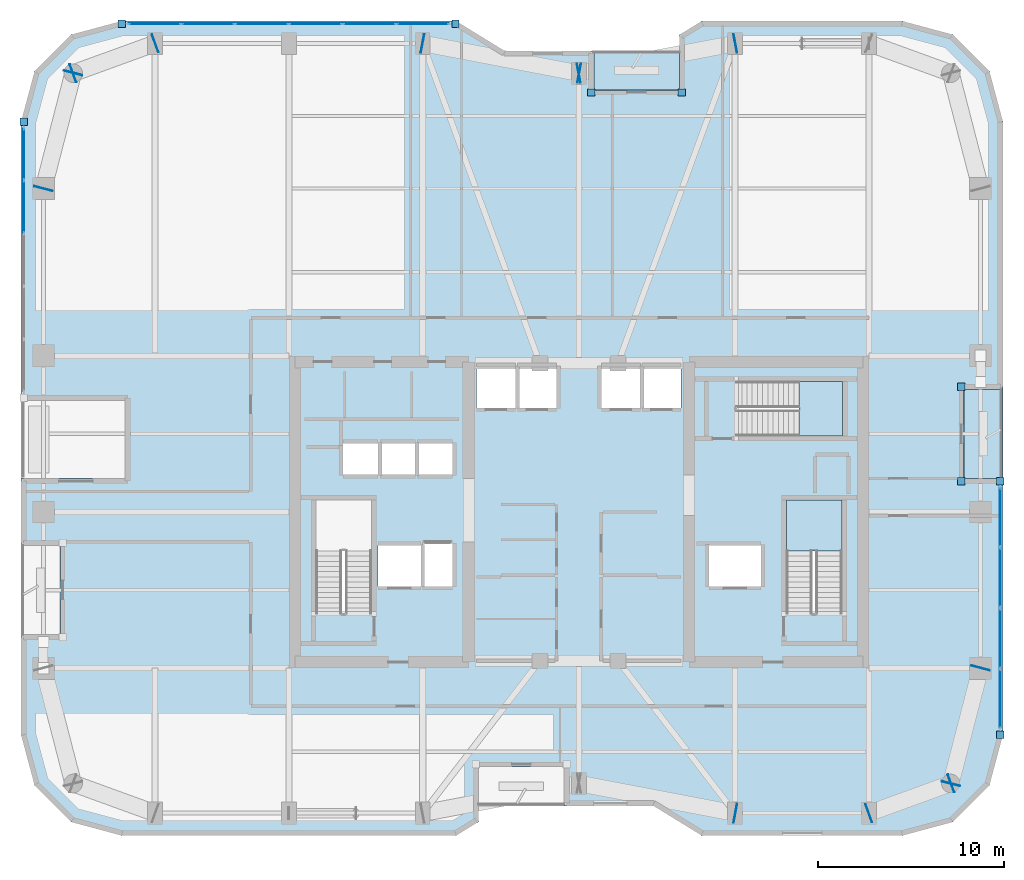
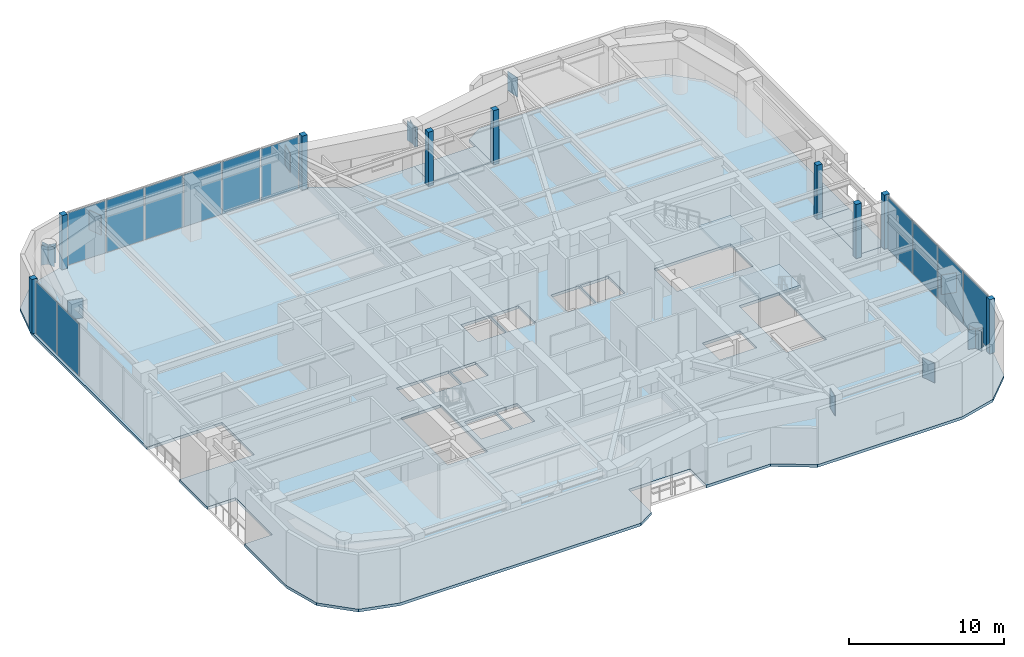
# One storey, part 13 of 21: 34 plates, 5 slabs, 5 elements without a shape of their own.
"""IFC4 building model written with IfcOpenShell, lengths in metres."""

from ifc_helpers import new_model, si_unit, direction, frame, origin, origin_2d, place, context, subcontext, project, spatial, polyline, rectangle, outline, extrude, material, layer, layer_set, type_object, element, aggregate, save


model = new_model("IFC4")

# Units and contexts
model_context = context("Model", 3, precision=1e-05, world=origin(), true_north=direction((0.0, 1.0)))
body_context = subcontext(model_context, "Body", "Model", "MODEL_VIEW")
ifc_project = project(units=[si_unit("LENGTHUNIT", "METRE"), si_unit("AREAUNIT", "SQUARE_METRE"), si_unit("VOLUMEUNIT", "CUBIC_METRE"), si_unit("PLANEANGLEUNIT", "RADIAN"), si_unit("MASSUNIT", "GRAM", prefix="KILO")], contexts=[model_context])

# Site, building, storey
site_placement = place(None, origin())
site = spatial("IfcSite", under=ifc_project, at=site_placement, CompositionType="ELEMENT")
building_placement = place(site_placement, origin())
building = spatial("IfcBuilding", under=site, at=building_placement, Name="Kiyonajd Concourse Tower", CompositionType="ELEMENT")
storey_placement = place(building_placement, frame((0.0, 0.0, 181.800048828125)))
storey = spatial("IfcBuildingStorey", under=building, at=storey_placement, Name="L46", CompositionType="ELEMENT", Elevation=181.800048828125)

# Plates
ifc_material_1 = material(Name="Steel ASTM A572 Grade 50", Category="steel")
ifc_layer_1 = layer(ifc_material_1, 0.031982421875)
ifc_layer_set_1 = layer_set([ifc_layer_1], Name="Steel ASTM A572 Grade 50")
plate_type_1 = type_object("IfcPlateType", Name="PL-CAP-540", PredefinedType="USERDEFINED", material=ifc_layer_set_1)
for number, where, z_axis, x_axis, name in (
    (1, (56.410888671875, 19.7978515625, 2.809814453125), (0.0, 0.0, 1.0), (0.982352599301, -0.187038420242, 0.0), "L46 Welded Box Girder End Cap"),
    (2, (63.589599609375, 19.796142578125, 2.809814453125), (0.0, 0.0, 1.0), (-0.939811951086, -0.341692107891, 0.0), "L46 Welded Box Girder End Cap"),
    (3, (68.01025390625, 21.40380859375, 2.809814453125), (0.0, 0.0, 1.0), (0.939811951086, 0.341692107891, 0.0), "L46 Welded Box Girder End Cap"),
    (4, (67.997314453125, 21.389404296875, 2.809814453125), (0.0, 0.0, 1.0), (-0.249873048837, -0.968278606324, 0.0), "L46 Welded Box Girder End Cap"),
    (5, (69.602783203125, 27.610595703125, 2.809814453125), (0.0, 0.0, 1.0), (0.249873048837, 0.968278606324, 0.0), "L46 Welded Box Girder End Cap"),
    (6, (56.410888671875, 61.2021484375, 2.809814453125), (0.0, 0.0, 1.0), (0.982352599301, 0.187038420242, 0.0), "L46 Welded Box Girder End Cap"),
    (7, (47.9892578125, 59.597900390625, 2.809814453125), (0.0, 0.0, 1.0), (-0.982352599301, -0.187038420242, 0.0), "L46 Welded Box Girder End Cap"),
    (8, (48.0107421875, 59.597900390625, 2.809814453125), (0.0, 0.0, 1.0), (0.982352599301, -0.187038420242, 0.0), "L46 Welded Box Girder End Cap"),
    (9, (39.589111328125, 61.2021484375, 2.809814453125), (0.0, 0.0, 1.0), (-0.982352599301, 0.187038420242, 0.0), "L46 Welded Box Girder End Cap"),
    (10, (25.210205078125, 61.203857421875, 2.809814453125), (0.0, 0.0, 1.0), (0.939811951086, 0.341692107891, 0.0), "L46 Welded Box Girder End Cap"),
    (11, (20.789794921875, 59.59619140625, 2.809814453125), (0.0, 0.0, 1.0), (-0.939811951086, -0.341692107891, 0.0), "L46 Welded Box Girder End Cap"),
    (12, (20.802734375, 59.610595703125, 2.809814453125), (0.0, 0.0, 1.0), (0.249873048837, 0.968278606324, 0.0), "L46 Welded Box Girder End Cap"),
    (13, (19.197265625, 53.389404296875, 2.809814453125), (0.0, 0.0, 1.0), (-0.249873048837, -0.968278606324, 0.0), "L46 Welded Box Girder End Cap"),
):
    element("IfcPlate", number, at=place(storey_placement, frame(where, z_axis=z_axis, x_axis=x_axis)), inside=storey, type_object=plate_type_1, Name=name, ObjectType="CAP PLATE", PredefinedType="USERDEFINED", context=body_context, shape_type="SweptSolid", body=[
        extrude(rectangle(XDim=0.035888671875, YDim=1.02001953125, at=origin_2d()), origin(), (0.0, 0.0, 1.0), 1.5400390625),
    ])

# Curtain wall, plates
ifc_material_2 = material(Name="Thermally Broken Anodised Aluminium", Category="aluminium")
ifc_layer_2 = layer(ifc_material_2, 0.179931640625)
ifc_layer_set_2 = layer_set([ifc_layer_2], Name="Thermally Broken Anodised Aluminium")
curtain_wall_type = type_object("IfcCurtainWallType", Name="CW-SYS-05", PredefinedType="NOTDEFINED", material=ifc_layer_set_2)
curtain_wall_1_placement = place(storey_placement, origin())
curtain_wall_1 = element("IfcCurtainWall", 14, at=curtain_wall_1_placement, inside=storey, type_object=curtain_wall_type, Name="L46 Unitised Curtain Wall CW5", PredefinedType="NOTDEFINED")
ifc_material_3 = material(Name="Double Low-E Insulated Glass", Category="glass")
ifc_layer_3 = layer(ifc_material_3, 0.0400390625)
ifc_layer_set_3 = layer_set([ifc_layer_3], Name="Double Low-E Insulated Glass")
plate_type_2 = type_object("IfcPlateType", Name="PL-CW-VIS40", PredefinedType="CURTAIN_PANEL", material=ifc_layer_set_3)
plate_1_placement = place(storey_placement, frame((18.139892578125, 52.4130859375, 0.074951171875), z_axis=(0.0, 0.0, 1.0), x_axis=(0.0, 1.0, 0.0)))
plate_1 = element("IfcPlate", 15, at=plate_1_placement, type_object=plate_type_2, Name="CW5 panel 4.1", PredefinedType="CURTAIN_PANEL", context=body_context, shape_type="SweptSolid", body=[
    extrude(rectangle(XDim=2.77734375, YDim=0.0400390625, at=origin_2d()), origin(), (0.0, 0.0, 1.0), 4.1298828125),
])
plate_2_placement = place(storey_placement, frame((18.139892578125, 55.24658203125, 0.074951171875), z_axis=(0.0, 0.0, 1.0), x_axis=(0.0, 1.0, 0.0)))
plate_2 = element("IfcPlate", 16, at=plate_2_placement, type_object=plate_type_2, Name="CW5 panel 5.1", PredefinedType="CURTAIN_PANEL", context=body_context, shape_type="SweptSolid", body=[
    extrude(rectangle(XDim=2.73974609375, YDim=0.0400390625, at=origin_2d()), origin(), (0.0, 0.0, 1.0), 4.1298828125),
])
aggregate(curtain_wall_1, [plate_1, plate_2])

curtain_wall_2_placement = place(storey_placement, origin())
curtain_wall_2 = element("IfcCurtainWall", 17, at=curtain_wall_2_placement, inside=storey, type_object=curtain_wall_type, Name="L46 Unitised Curtain Wall CW5", PredefinedType="NOTDEFINED")
plate_3_placement = place(storey_placement, frame((25.174072265625, 62.260009765625, 0.074951171875), z_axis=(0.0, 0.0, 1.0), x_axis=(1.0, 0.0, 0.0)))
plate_3 = element("IfcPlate", 18, at=plate_3_placement, type_object=plate_type_2, Name="CW5 panel 1.1", PredefinedType="CURTAIN_PANEL", context=body_context, shape_type="SweptSolid", body=[
    extrude(rectangle(XDim=2.78125, YDim=0.0400390625, at=origin_2d()), origin(), (0.0, 0.0, 1.0), 4.1298828125),
])
plate_4_placement = place(storey_placement, frame((28.048828125, 62.260009765625, 0.074951171875), z_axis=(0.0, 0.0, 1.0), x_axis=(1.0, 0.0, 0.0)))
plate_4 = element("IfcPlate", 19, at=plate_4_placement, type_object=plate_type_2, Name="CW5 panel 2.1", PredefinedType="CURTAIN_PANEL", context=body_context, shape_type="SweptSolid", body=[
    extrude(rectangle(XDim=2.818603515625, YDim=0.0400390625, at=origin_2d()), origin(), (0.0, 0.0, 1.0), 4.1298828125),
])
plate_5_placement = place(storey_placement, frame((30.942626953125, 62.260009765625, 0.074951171875), z_axis=(0.0, 0.0, 1.0), x_axis=(1.0, 0.0, 0.0)))
plate_5 = element("IfcPlate", 20, at=plate_5_placement, type_object=plate_type_2, Name="CW5 panel 3.1", PredefinedType="CURTAIN_PANEL", context=body_context, shape_type="SweptSolid", body=[
    extrude(rectangle(XDim=2.818603515625, YDim=0.0400390625, at=origin_2d()), origin(), (0.0, 0.0, 1.0), 4.1298828125),
])
plate_6_placement = place(storey_placement, frame((33.836181640625, 62.260009765625, 0.074951171875), z_axis=(0.0, 0.0, 1.0), x_axis=(1.0, 0.0, 0.0)))
plate_6 = element("IfcPlate", 21, at=plate_6_placement, type_object=plate_type_2, Name="CW5 panel 4.1", PredefinedType="CURTAIN_PANEL", context=body_context, shape_type="SweptSolid", body=[
    extrude(rectangle(XDim=2.818603515625, YDim=0.0400390625, at=origin_2d()), origin(), (0.0, 0.0, 1.0), 4.1298828125),
])
plate_7_placement = place(storey_placement, frame((36.72998046875, 62.260009765625, 0.074951171875), z_axis=(0.0, 0.0, 1.0), x_axis=(1.0, 0.0, 0.0)))
plate_7 = element("IfcPlate", 22, at=plate_7_placement, type_object=plate_type_2, Name="CW5 panel 5.1", PredefinedType="CURTAIN_PANEL", context=body_context, shape_type="SweptSolid", body=[
    extrude(rectangle(XDim=2.818603515625, YDim=0.0400390625, at=origin_2d()), origin(), (0.0, 0.0, 1.0), 4.1298828125),
])
plate_8_placement = place(storey_placement, frame((39.604736328125, 62.260009765625, 0.074951171875), z_axis=(0.0, 0.0, 1.0), x_axis=(1.0, 0.0, 0.0)))
plate_8 = element("IfcPlate", 23, at=plate_8_placement, type_object=plate_type_2, Name="CW5 panel 6.1", PredefinedType="CURTAIN_PANEL", context=body_context, shape_type="SweptSolid", body=[
    extrude(rectangle(XDim=2.78125, YDim=0.0400390625, at=origin_2d()), origin(), (0.0, 0.0, 1.0), 4.1298828125),
])
aggregate(curtain_wall_2, [plate_3, plate_4, plate_5, plate_6, plate_7, plate_8])

curtain_wall_3_placement = place(storey_placement, origin())
curtain_wall_3 = element("IfcCurtainWall", 24, at=curtain_wall_3_placement, inside=storey, type_object=curtain_wall_type, Name="L46 Unitised Curtain Wall CW5", PredefinedType="NOTDEFINED")
plate_9_placement = place(storey_placement, frame((70.659912109375, 35.718505859375, 0.074951171875), z_axis=(0.0, 0.0, 1.0), x_axis=(0.0, -1.0, 0.0)))
plate_9 = element("IfcPlate", 25, at=plate_9_placement, type_object=plate_type_2, Name="CW5 panel 1.1", PredefinedType="CURTAIN_PANEL", context=body_context, shape_type="SweptSolid", body=[
    extrude(rectangle(XDim=3.15283203125, YDim=0.0400390625, at=origin_2d()), origin(), (0.0, 0.0, 1.0), 4.1298828125),
])
plate_10_placement = place(storey_placement, frame((70.659912109375, 32.471923828125, 0.074951171875), z_axis=(0.0, 0.0, 1.0), x_axis=(0.0, -1.0, 0.0)))
plate_10 = element("IfcPlate", 26, at=plate_10_placement, type_object=plate_type_2, Name="CW5 panel 2.1", PredefinedType="CURTAIN_PANEL", context=body_context, shape_type="SweptSolid", body=[
    extrude(rectangle(XDim=3.1904296875, YDim=0.0400390625, at=origin_2d()), origin(), (0.0, 0.0, 1.0), 4.1298828125),
])
plate_11_placement = place(storey_placement, frame((70.659912109375, 29.20654296875, 0.074951171875), z_axis=(0.0, 0.0, 1.0), x_axis=(0.0, -1.0, 0.0)))
plate_11 = element("IfcPlate", 27, at=plate_11_placement, type_object=plate_type_2, Name="CW5 panel 3.1", PredefinedType="CURTAIN_PANEL", context=body_context, shape_type="SweptSolid", body=[
    extrude(rectangle(XDim=3.1904296875, YDim=0.0400390625, at=origin_2d()), origin(), (0.0, 0.0, 1.0), 4.1298828125),
])
plate_12_placement = place(storey_placement, frame((70.659912109375, 25.9599609375, 0.074951171875), z_axis=(0.0, 0.0, 1.0), x_axis=(0.0, -1.0, 0.0)))
plate_12 = element("IfcPlate", 28, at=plate_12_placement, type_object=plate_type_2, Name="CW5 panel 4.1", PredefinedType="CURTAIN_PANEL", context=body_context, shape_type="SweptSolid", body=[
    extrude(rectangle(XDim=3.15283203125, YDim=0.0400390625, at=origin_2d()), origin(), (0.0, 0.0, 1.0), 4.1298828125),
])
aggregate(curtain_wall_3, [plate_9, plate_10, plate_11, plate_12])

# Plates
ifc_layer_4 = layer(ifc_material_2, 0.39990234375)
ifc_layer_set_4 = layer_set([ifc_layer_4], Name="Thermally Broken Anodised Aluminium")
plate_type_3 = type_object("IfcPlateType", Name="PL-JMB-400", PredefinedType="USERDEFINED", material=ifc_layer_set_4)
for number, where, z_axis, x_axis, name in (
    (29, (18.139892578125, 56.981689453125, 0.0), (0.0, 0.0, 1.0), (1.0, 0.0, 0.0), "L46 Facade Jamb Closure Plate 04"),
    (30, (23.41845703125, 62.260009765625, 0.0), (0.0, 0.0, 1.0), (1.0, 0.0, 0.0), "L46 Facade Jamb Closure Plate 05"),
    (31, (41.3603515625, 62.260009765625, 0.0), (0.0, 0.0, 1.0), (1.0, 0.0, 0.0), "L46 Facade Jamb Closure Plate 06"),
    (32, (48.659912109375, 58.56005859375, 0.0), (0.0, 0.0, 1.0), (1.0, 0.0, 0.0), "L46 Facade Jamb Closure Plate 07"),
    (33, (53.5400390625, 58.56005859375, 0.0), (0.0, 0.0, 1.0), (1.0, 0.0, 0.0), "L46 Facade Jamb Closure Plate 08"),
    (34, (68.56005859375, 42.739990234375, 0.0), (0.0, 0.0, 1.0), (1.0, 0.0, 0.0), "L46 Facade Jamb Closure Plate 09"),
    (35, (68.56005859375, 37.659912109375, 0.0), (0.0, 0.0, 1.0), (1.0, 0.0, 0.0), "L46 Facade Jamb Closure Plate 10"),
    (36, (70.659912109375, 37.659912109375, 0.0), (0.0, 0.0, 1.0), (1.0, 0.0, 0.0), "L46 Facade Jamb Closure Plate 11"),
    (37, (70.659912109375, 24.018310546875, 0.0), (0.0, 0.0, 1.0), (1.0, 0.0, 0.0), "L46 Facade Jamb Closure Plate 12"),
):
    element("IfcPlate", number, at=place(storey_placement, frame(where, z_axis=z_axis, x_axis=x_axis)), inside=storey, type_object=plate_type_3, Name=name, ObjectType="JAMB PLATE", PredefinedType="USERDEFINED", context=body_context, shape_type="SweptSolid", body=[
        extrude(rectangle(XDim=0.39990234375, YDim=0.39990234375, at=origin_2d()), origin(), (0.0, 0.0, 1.0), 4.280029296875),
    ])

# Stair, slab
ifc_material_4 = material(Name="Concrete C40/50", Category="concrete")
stair_type = type_object("IfcStairType", Name="ST-DLG-26R", PredefinedType="HALF_TURN_STAIR", material=ifc_material_4)
stair_1_placement = place(storey_placement, origin())
stair_1 = element("IfcStair", 38, at=stair_1_placement, inside=storey, type_object=stair_type, Name="L46 Protected Exit Stair ST2", PredefinedType="HALF_TURN_STAIR")
ifc_layer_5 = layer(ifc_material_4, 0.199951171875)
ifc_layer_set_5 = layer_set([ifc_layer_5], Name="Concrete C40/50")
slab_type_1 = type_object("IfcSlabType", Name="SL-LND-200", PredefinedType="LANDING", material=ifc_layer_set_5)
slab_1_placement = place(storey_placement, frame((0.0, 0.0, 2.050048828125)))
slab_1 = element("IfcSlab", 39, at=slab_1_placement, type_object=slab_type_1, Name="ST2 landing 1", PredefinedType="LANDING", context=body_context, shape_type="SweptSolid", body=[
    extrude(outline(polyline([(62.14990234375, 33.909912109375), (62.14990234375, 36.64990234375), (59.14990234375, 36.64990234375), (59.14990234375, 33.909912109375), (62.14990234375, 33.909912109375)])), origin(), (0.0, 0.0, 1.0), 0.199951171875),
])
aggregate(stair_1, [slab_1])

stair_2_placement = place(storey_placement, origin())
stair_2 = element("IfcStair", 40, at=stair_2_placement, inside=storey, type_object=stair_type, Name="L46 Protected Exit Stair ST3", PredefinedType="HALF_TURN_STAIR")
slab_2_placement = place(storey_placement, frame((0.0, 0.0, 2.050048828125)))
slab_2 = element("IfcSlab", 41, at=slab_2_placement, type_object=slab_type_1, Name="ST3 landing 1", PredefinedType="LANDING", context=body_context, shape_type="SweptSolid", body=[
    extrude(outline(polyline([(59.840087890625, 40.080078125), (62.179931640625, 40.080078125), (62.179931640625, 43.02001953125), (59.840087890625, 43.02001953125), (59.840087890625, 40.080078125)])), origin(), (0.0, 0.0, 1.0), 0.199951171875),
])
aggregate(stair_2, [slab_2])

# Slabs
ifc_material_5 = material(Name="Precast concrete C50/60", Category="concrete")
ifc_layer_6 = layer(ifc_material_5, 0.199951171875)
ifc_layer_set_6 = layer_set([ifc_layer_6], Name="Precast concrete C50/60")
slab_type_2 = type_object("IfcSlabType", Name="SL-LOG-200", PredefinedType="FLOOR", material=ifc_layer_set_6)
slab_3_placement = place(storey_placement, frame((0.0, 0.0, -0.199951171875)))
element("IfcSlab", 42, at=slab_3_placement, inside=storey, type_object=slab_type_2, Name="L46 Recessed Engawa Loggia Terrace Slab LOG-N", PredefinedType="FLOOR", context=body_context, shape_type="SweptSolid", body=[
    extrude(outline(polyline([(48.800048828125, 58.699951171875), (53.39990234375, 58.699951171875), (53.39990234375, 60.800048828125), (48.800048828125, 60.800048828125), (48.800048828125, 58.699951171875)])), origin(), (0.0, 0.0, 1.0), 0.199951171875),
])
slab_4_placement = place(storey_placement, frame((0.0, 0.0, -0.199951171875)))
element("IfcSlab", 43, at=slab_4_placement, inside=storey, type_object=slab_type_2, Name="L46 Recessed Engawa Loggia Terrace Slab LOG-E", PredefinedType="FLOOR", context=body_context, shape_type="SweptSolid", body=[
    extrude(outline(polyline([(68.699951171875, 37.800048828125), (70.800048828125, 37.800048828125), (70.800048828125, 42.60009765625), (68.699951171875, 42.60009765625), (68.699951171875, 37.800048828125)])), origin(), (0.0, 0.0, 1.0), 0.199951171875),
])
ifc_layer_7 = layer(ifc_material_4, 0.219970703125)
ifc_layer_set_7 = layer_set([ifc_layer_7], Name="Concrete C40/50")
slab_type_3 = type_object("IfcSlabType", Name="SL-TWR-220", PredefinedType="FLOOR", material=ifc_layer_set_7)
slab_5_placement = place(storey_placement, frame((0.0, 0.0, -0.219970703125)))
element("IfcSlab", 44, at=slab_5_placement, inside=storey, type_object=slab_type_3, Name="L46 Tower Conditioned Floor Slab", PredefinedType="FLOOR", context=body_context, shape_type="SweptSolid", body=[
    extrude(outline(polyline([(18.0, 24.0), (18.0, 29.39990234375), (20.10009765625, 29.39990234375), (20.10009765625, 34.199951171875), (18.0, 34.199951171875), (18.0, 37.800048828125), (23.60009765625, 37.800048828125), (23.60009765625, 42.0), (18.0, 42.0), (18.0, 57.0), (18.722900390625, 59.699951171875), (20.699951171875, 61.677001953125), (23.39990234375, 62.39990234375), (41.39990234375, 62.39990234375), (44.0, 60.800048828125), (48.800048828125, 60.800048828125), (48.800048828125, 58.699951171875), (53.39990234375, 58.699951171875), (53.39990234375, 61.662109375), (54.60009765625, 62.39990234375), (65.39990234375, 62.39990234375), (68.10009765625, 61.677001953125), (70.076904296875, 59.699951171875), (70.800048828125, 57.0), (70.800048828125, 42.60009765625), (68.699951171875, 42.60009765625), (68.699951171875, 37.800048828125), (70.800048828125, 37.800048828125), (70.800048828125, 24.0), (70.076904296875, 21.300048828125), (68.10009765625, 19.322998046875), (65.39990234375, 18.60009765625), (54.60009765625, 18.60009765625), (52.0, 20.199951171875), (47.199951171875, 20.199951171875), (47.199951171875, 22.300048828125), (42.60009765625, 22.300048828125), (42.60009765625, 19.337890625), (41.39990234375, 18.60009765625), (23.39990234375, 18.60009765625), (20.699951171875, 19.322998046875), (18.722900390625, 21.300048828125), (18.0, 24.0)]), holes=[polyline([(39.5, 32.0), (37.199951171875, 32.0), (37.199951171875, 34.199951171875), (39.5, 34.199951171875), (39.5, 32.0)]), polyline([(39.60009765625, 32.0), (39.60009765625, 34.300048828125), (41.199951171875, 34.300048828125), (41.199951171875, 32.0), (39.60009765625, 32.0)]), polyline([(33.85009765625, 30.550048828125), (33.85009765625, 36.64990234375), (36.85009765625, 36.64990234375), (36.85009765625, 30.550048828125), (33.85009765625, 30.550048828125)]), polyline([(37.199951171875, 38.0), (35.300048828125, 38.0), (35.300048828125, 39.699951171875), (37.199951171875, 39.699951171875), (37.199951171875, 38.0)]), polyline([(37.300048828125, 38.0), (37.300048828125, 39.699951171875), (39.199951171875, 39.699951171875), (39.199951171875, 38.0), (37.300048828125, 38.0)]), polyline([(39.300048828125, 38.0), (39.300048828125, 39.699951171875), (41.199951171875, 39.699951171875), (41.199951171875, 38.0), (39.300048828125, 38.0)]), polyline([(44.60009765625, 41.60009765625), (42.5, 41.60009765625), (42.5, 43.800048828125), (44.60009765625, 43.800048828125), (44.60009765625, 41.60009765625)]), polyline([(55.0, 32.0), (55.0, 34.199951171875), (57.800048828125, 34.199951171875), (57.800048828125, 32.0), (55.0, 32.0)]), polyline([(59.14990234375, 30.550048828125), (59.14990234375, 36.64990234375), (62.14990234375, 36.64990234375), (62.14990234375, 30.550048828125), (59.14990234375, 30.550048828125)]), polyline([(56.47998046875, 43.02001953125), (62.179931640625, 43.02001953125), (62.179931640625, 40.080078125), (56.47998046875, 40.080078125), (56.47998046875, 43.02001953125)]), polyline([(44.699951171875, 41.60009765625), (44.699951171875, 43.800048828125), (46.800048828125, 43.800048828125), (46.800048828125, 41.60009765625), (44.699951171875, 41.60009765625)]), polyline([(49.199951171875, 41.60009765625), (49.199951171875, 43.800048828125), (51.300048828125, 43.800048828125), (51.300048828125, 41.60009765625), (49.199951171875, 41.60009765625)]), polyline([(51.39990234375, 41.60009765625), (51.39990234375, 43.800048828125), (53.5, 43.800048828125), (53.5, 41.60009765625), (51.39990234375, 41.60009765625)])]), origin(), (0.0, 0.0, 1.0), 0.219970703125),
])

save(model, "model.ifc")
